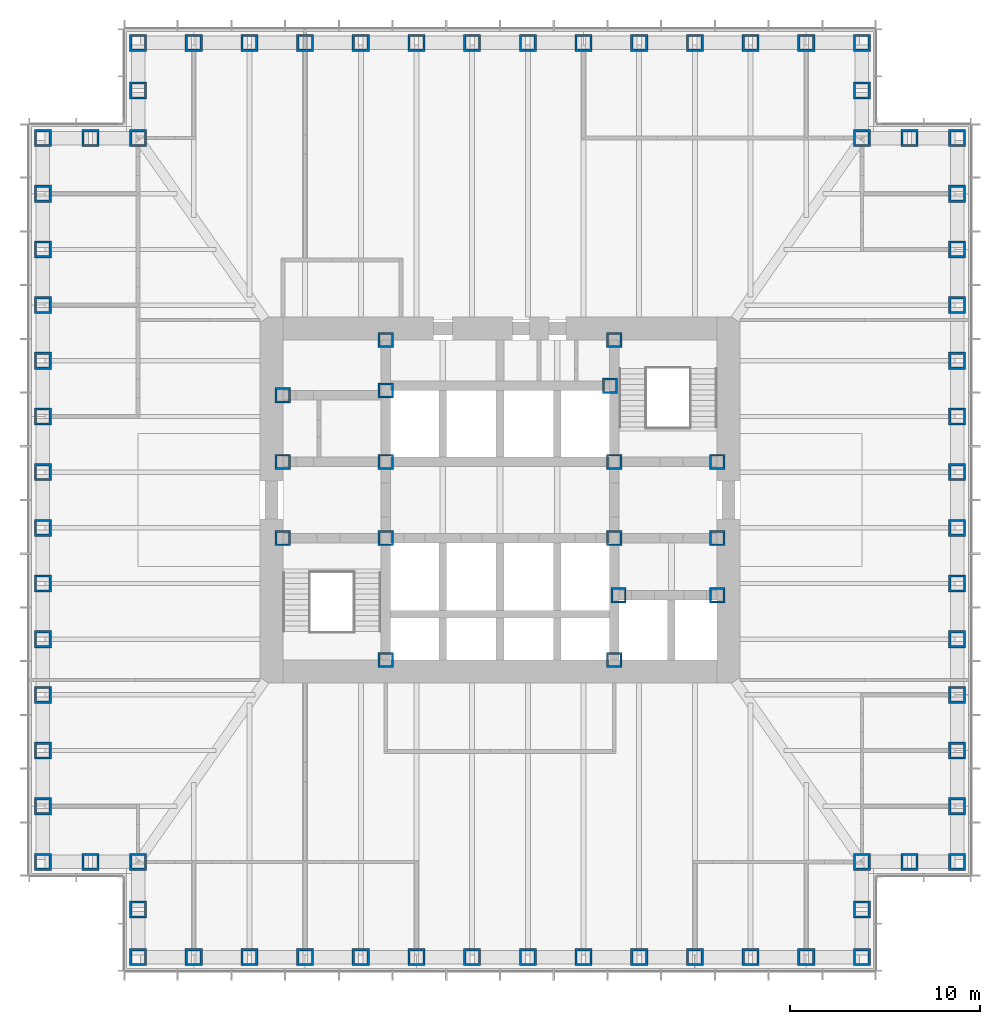
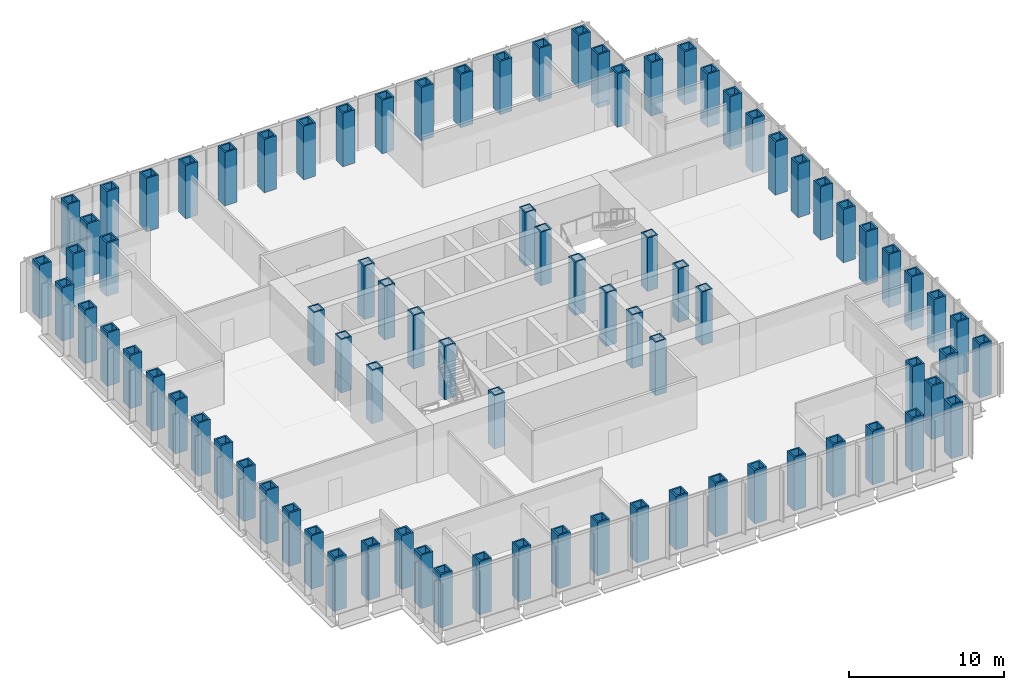
# One storey, part 1 of 17: 85 columns.
"""IFC4 building model written with IfcOpenShell, lengths in metres."""

from ifc_helpers import new_model, si_unit, direction, frame, origin, origin_2d, place, context, subcontext, project, spatial, hollow_rectangle, extrude, material, material_profile, profile_set, type_object, element, save


model = new_model("IFC4")

# Units and contexts
model_context = context("Model", 3, precision=1e-05, world=origin(), true_north=direction((0.0, 1.0)))
body_context = subcontext(model_context, "Body", "Model", "MODEL_VIEW")
ifc_project = project(units=[si_unit("LENGTHUNIT", "METRE"), si_unit("AREAUNIT", "SQUARE_METRE"), si_unit("VOLUMEUNIT", "CUBIC_METRE"), si_unit("PLANEANGLEUNIT", "RADIAN"), si_unit("MASSUNIT", "GRAM", prefix="KILO")], contexts=[model_context])

# Site, building, storey
site_placement = place(None, origin())
site = spatial("IfcSite", under=ifc_project, at=site_placement, CompositionType="ELEMENT")
building_placement = place(site_placement, origin())
building = spatial("IfcBuilding", under=site, at=building_placement, Name="Daluyong Arena Tower", CompositionType="ELEMENT")
storey_placement = place(building_placement, frame((0.0, 0.0, 85.300048828125)))
storey = spatial("IfcBuildingStorey", under=building, at=storey_placement, Name="L18", CompositionType="ELEMENT", Elevation=85.300048828125)

# Columns
ifc_material_1 = material(Name="Steel ASTM A572 Grade 50", Category="steel")
ifc_material_profile_1 = material_profile(ifc_material_1, hollow_rectangle(XDim=0.800048828125, YDim=0.800048828125, WallThickness=0.1, at=origin_2d()))
ifc_profile_set_1 = profile_set([ifc_material_profile_1], Name="Steel ASTM A572 Grade 50")
column_type_1 = type_object("IfcColumnType", Name="Core boundary column BX800X100", PredefinedType="COLUMN", material=ifc_profile_set_1)
for number, where, z_axis, x_axis, name in (
    (1, (44.60009765625, 78.0, 0.0), (0.0, 0.0, 1.0), (1.0, 0.0, 0.0), "core boundary column BC2"),
    (2, (44.60009765625, 82.0, 0.0), (0.0, 0.0, 1.0), (1.0, 0.0, 0.0), "core boundary column BC2"),
    (3, (44.60009765625, 85.5, 0.0), (0.0, 0.0, 1.0), (1.0, 0.0, 0.0), "core boundary column BC2"),
    (4, (50.0, 71.60009765625, 0.0), (0.0, 0.0, 1.0), (1.0, 0.0, 0.0), "core boundary column BC2"),
    (5, (50.0, 78.0, 0.0), (0.0, 0.0, 1.0), (1.0, 0.0, 0.0), "core boundary column BC2"),
    (6, (50.0, 82.0, 0.0), (0.0, 0.0, 1.0), (1.0, 0.0, 0.0), "core boundary column BC2"),
    (7, (50.0, 85.75, 0.0), (0.0, 0.0, 1.0), (1.0, 0.0, 0.0), "core boundary column BC2"),
    (8, (50.0, 88.39990234375, 0.0), (0.0, 0.0, 1.0), (1.0, 0.0, 0.0), "core boundary column BC2"),
    (9, (61.77490234375, 86.0, 0.0), (0.0, 0.0, 1.0), (1.0, 0.0, 0.0), "core boundary column BC2"),
    (10, (62.0, 71.60009765625, 0.0), (0.0, 0.0, 1.0), (1.0, 0.0, 0.0), "core boundary column BC2"),
    (11, (62.0, 78.0, 0.0), (0.0, 0.0, 1.0), (1.0, 0.0, 0.0), "core boundary column BC2"),
    (12, (62.0, 82.0, 0.0), (0.0, 0.0, 1.0), (1.0, 0.0, 0.0), "core boundary column BC2"),
    (13, (62.0, 88.39990234375, 0.0), (0.0, 0.0, 1.0), (1.0, 0.0, 0.0), "core boundary column BC2"),
    (14, (62.22509765625, 75.0, 0.0), (0.0, 0.0, 1.0), (1.0, 0.0, 0.0), "core boundary column BC2"),
    (15, (67.39990234375, 75.0, 0.0), (0.0, 0.0, 1.0), (1.0, 0.0, 0.0), "core boundary column BC2"),
    (16, (67.39990234375, 78.0, 0.0), (0.0, 0.0, 1.0), (1.0, 0.0, 0.0), "core boundary column BC2"),
    (17, (67.39990234375, 82.0, 0.0), (0.0, 0.0, 1.0), (1.0, 0.0, 0.0), "core boundary column BC2"),
):
    element("IfcColumn", number, at=place(storey_placement, frame(where, z_axis=z_axis, x_axis=x_axis)), inside=storey, type_object=column_type_1, Name=name, PredefinedType="COLUMN", context=body_context, shape_type="SweptSolid", body=[
        extrude(hollow_rectangle(XDim=0.800048828125, YDim=0.800048828125, WallThickness=0.1, at=origin_2d()), origin(), (0.0, 0.0, 1.0), 4.199951171875),
    ])
ifc_material_2 = material(Name="Steel ASTM A588 Grade 50", Category="steel")
ifc_material_profile_2 = material_profile(ifc_material_2, hollow_rectangle(XDim=0.89990234375, YDim=0.89990234375, WallThickness=0.12, at=origin_2d()))
ifc_profile_set_2 = profile_set([ifc_material_profile_2], Name="Steel ASTM A588 Grade 50")
column_type_2 = type_object("IfcColumnType", Name="Tube column BX900X120 BX900X120", PredefinedType="COLUMN", material=ifc_profile_set_2)
for number, where, z_axis, x_axis, name in (
    (18, (37.0, 56.0, 0.0), (0.0, 0.0, 1.0), (1.0, 0.0, 0.0), "tube column bx900x120 TC4"),
    (19, (39.923095703125, 56.0, 0.0), (0.0, 0.0, 1.0), (1.0, 0.0, 0.0), "tube column bx900x120 TC4"),
    (20, (42.84619140625, 56.0, 0.0), (0.0, 0.0, 1.0), (1.0, 0.0, 0.0), "tube column bx900x120 TC4"),
    (21, (45.769287109375, 56.0, 0.0), (0.0, 0.0, 1.0), (1.0, 0.0, 0.0), "tube column bx900x120 TC4"),
    (22, (48.6923828125, 56.0, 0.0), (0.0, 0.0, 1.0), (1.0, 0.0, 0.0), "tube column bx900x120 TC4"),
    (23, (51.615478515625, 56.0, 0.0), (0.0, 0.0, 1.0), (1.0, 0.0, 0.0), "tube column bx900x120 TC4"),
    (24, (54.53857421875, 56.0, 0.0), (0.0, 0.0, 1.0), (1.0, 0.0, 0.0), "tube column bx900x120 TC4"),
    (25, (57.46142578125, 56.0, 0.0), (0.0, 0.0, 1.0), (1.0, 0.0, 0.0), "tube column bx900x120 TC4"),
    (26, (60.384521484375, 56.0, 0.0), (0.0, 0.0, 1.0), (1.0, 0.0, 0.0), "tube column bx900x120 TC4"),
    (27, (63.3076171875, 56.0, 0.0), (0.0, 0.0, 1.0), (1.0, 0.0, 0.0), "tube column bx900x120 TC4"),
    (28, (66.230712890625, 56.0, 0.0), (0.0, 0.0, 1.0), (1.0, 0.0, 0.0), "tube column bx900x120 TC4"),
    (29, (69.15380859375, 56.0, 0.0), (0.0, 0.0, 1.0), (1.0, 0.0, 0.0), "tube column bx900x120 TC4"),
    (30, (72.076904296875, 56.0, 0.0), (0.0, 0.0, 1.0), (1.0, 0.0, 0.0), "tube column bx900x120 TC4"),
    (31, (75.0, 56.0, 0.0), (0.0, 0.0, 1.0), (0.0, 1.0, 0.0), "tube column bx900x120 TC4"),
    (32, (75.0, 58.5, 0.0), (0.0, 0.0, 1.0), (0.0, 1.0, 0.0), "tube column bx900x120 TC4"),
    (33, (75.0, 61.0, 0.0), (0.0, 0.0, 1.0), (1.0, 0.0, 0.0), "tube column bx900x120 TC4"),
    (34, (77.5, 61.0, 0.0), (0.0, 0.0, 1.0), (1.0, 0.0, 0.0), "tube column bx900x120 TC4"),
    (35, (80.0, 61.0, 0.0), (0.0, 0.0, 1.0), (0.0, 1.0, 0.0), "tube column bx900x120 TC4"),
    (36, (80.0, 63.923095703125, 0.0), (0.0, 0.0, 1.0), (0.0, 1.0, 0.0), "tube column bx900x120 TC4"),
    (37, (80.0, 66.84619140625, 0.0), (0.0, 0.0, 1.0), (0.0, 1.0, 0.0), "tube column bx900x120 TC4"),
    (38, (80.0, 69.769287109375, 0.0), (0.0, 0.0, 1.0), (0.0, 1.0, 0.0), "tube column bx900x120 TC4"),
    (39, (80.0, 72.6923828125, 0.0), (0.0, 0.0, 1.0), (0.0, 1.0, 0.0), "tube column bx900x120 TC4"),
    (40, (80.0, 75.615478515625, 0.0), (0.0, 0.0, 1.0), (0.0, 1.0, 0.0), "tube column bx900x120 TC4"),
    (41, (80.0, 78.53857421875, 0.0), (0.0, 0.0, 1.0), (0.0, 1.0, 0.0), "tube column bx900x120 TC4"),
    (42, (80.0, 81.46142578125, 0.0), (0.0, 0.0, 1.0), (0.0, 1.0, 0.0), "tube column bx900x120 TC4"),
    (43, (80.0, 84.384521484375, 0.0), (0.0, 0.0, 1.0), (0.0, 1.0, 0.0), "tube column bx900x120 TC4"),
    (44, (80.0, 87.3076171875, 0.0), (0.0, 0.0, 1.0), (0.0, 1.0, 0.0), "tube column bx900x120 TC4"),
    (45, (80.0, 90.230712890625, 0.0), (0.0, 0.0, 1.0), (0.0, 1.0, 0.0), "tube column bx900x120 TC4"),
    (46, (80.0, 93.15380859375, 0.0), (0.0, 0.0, 1.0), (0.0, 1.0, 0.0), "tube column bx900x120 TC4"),
    (47, (80.0, 96.076904296875, 0.0), (0.0, 0.0, 1.0), (0.0, 1.0, 0.0), "tube column bx900x120 TC4"),
    (48, (80.0, 99.0, 0.0), (0.0, 0.0, 1.0), (1.0, 0.0, 0.0), "tube column bx900x120 TC4"),
    (49, (77.5, 99.0, 0.0), (0.0, 0.0, 1.0), (1.0, 0.0, 0.0), "tube column bx900x120 TC4"),
    (50, (75.0, 99.0, 0.0), (0.0, 0.0, 1.0), (0.0, 1.0, 0.0), "tube column bx900x120 TC4"),
    (51, (75.0, 101.5, 0.0), (0.0, 0.0, 1.0), (0.0, 1.0, 0.0), "tube column bx900x120 TC4"),
    (52, (75.0, 104.0, 0.0), (0.0, 0.0, 1.0), (1.0, 0.0, 0.0), "tube column bx900x120 TC4"),
    (53, (72.076904296875, 104.0, 0.0), (0.0, 0.0, 1.0), (1.0, 0.0, 0.0), "tube column bx900x120 TC4"),
    (54, (69.15380859375, 104.0, 0.0), (0.0, 0.0, 1.0), (1.0, 0.0, 0.0), "tube column bx900x120 TC4"),
    (55, (66.230712890625, 104.0, 0.0), (0.0, 0.0, 1.0), (1.0, 0.0, 0.0), "tube column bx900x120 TC4"),
    (56, (63.3076171875, 104.0, 0.0), (0.0, 0.0, 1.0), (1.0, 0.0, 0.0), "tube column bx900x120 TC4"),
    (57, (60.384521484375, 104.0, 0.0), (0.0, 0.0, 1.0), (1.0, 0.0, 0.0), "tube column bx900x120 TC4"),
    (58, (57.46142578125, 104.0, 0.0), (0.0, 0.0, 1.0), (1.0, 0.0, 0.0), "tube column bx900x120 TC4"),
    (59, (54.53857421875, 104.0, 0.0), (0.0, 0.0, 1.0), (1.0, 0.0, 0.0), "tube column bx900x120 TC4"),
    (60, (51.615478515625, 104.0, 0.0), (0.0, 0.0, 1.0), (1.0, 0.0, 0.0), "tube column bx900x120 TC4"),
    (61, (48.6923828125, 104.0, 0.0), (0.0, 0.0, 1.0), (1.0, 0.0, 0.0), "tube column bx900x120 TC4"),
    (62, (45.769287109375, 104.0, 0.0), (0.0, 0.0, 1.0), (1.0, 0.0, 0.0), "tube column bx900x120 TC4"),
    (63, (42.84619140625, 104.0, 0.0), (0.0, 0.0, 1.0), (1.0, 0.0, 0.0), "tube column bx900x120 TC4"),
    (64, (39.923095703125, 104.0, 0.0), (0.0, 0.0, 1.0), (1.0, 0.0, 0.0), "tube column bx900x120 TC4"),
    (65, (37.0, 104.0, 0.0), (0.0, 0.0, 1.0), (0.0, 1.0, 0.0), "tube column bx900x120 TC4"),
    (66, (37.0, 101.5, 0.0), (0.0, 0.0, 1.0), (0.0, 1.0, 0.0), "tube column bx900x120 TC4"),
    (67, (37.0, 99.0, 0.0), (0.0, 0.0, 1.0), (1.0, 0.0, 0.0), "tube column bx900x120 TC4"),
    (68, (34.5, 99.0, 0.0), (0.0, 0.0, 1.0), (1.0, 0.0, 0.0), "tube column bx900x120 TC4"),
    (69, (32.0, 99.0, 0.0), (0.0, 0.0, 1.0), (0.0, 1.0, 0.0), "tube column bx900x120 TC4"),
    (70, (32.0, 96.076904296875, 0.0), (0.0, 0.0, 1.0), (0.0, 1.0, 0.0), "tube column bx900x120 TC4"),
    (71, (32.0, 93.15380859375, 0.0), (0.0, 0.0, 1.0), (0.0, 1.0, 0.0), "tube column bx900x120 TC4"),
    (72, (32.0, 90.230712890625, 0.0), (0.0, 0.0, 1.0), (0.0, 1.0, 0.0), "tube column bx900x120 TC4"),
    (73, (32.0, 87.3076171875, 0.0), (0.0, 0.0, 1.0), (0.0, 1.0, 0.0), "tube column bx900x120 TC4"),
    (74, (32.0, 84.384521484375, 0.0), (0.0, 0.0, 1.0), (0.0, 1.0, 0.0), "tube column bx900x120 TC4"),
    (75, (32.0, 81.46142578125, 0.0), (0.0, 0.0, 1.0), (0.0, 1.0, 0.0), "tube column bx900x120 TC4"),
    (76, (32.0, 78.53857421875, 0.0), (0.0, 0.0, 1.0), (0.0, 1.0, 0.0), "tube column bx900x120 TC4"),
    (77, (32.0, 75.615478515625, 0.0), (0.0, 0.0, 1.0), (0.0, 1.0, 0.0), "tube column bx900x120 TC4"),
    (78, (32.0, 72.6923828125, 0.0), (0.0, 0.0, 1.0), (0.0, 1.0, 0.0), "tube column bx900x120 TC4"),
    (79, (32.0, 69.769287109375, 0.0), (0.0, 0.0, 1.0), (0.0, 1.0, 0.0), "tube column bx900x120 TC4"),
    (80, (32.0, 66.84619140625, 0.0), (0.0, 0.0, 1.0), (0.0, 1.0, 0.0), "tube column bx900x120 TC4"),
    (81, (32.0, 63.923095703125, 0.0), (0.0, 0.0, 1.0), (0.0, 1.0, 0.0), "tube column bx900x120 TC4"),
    (82, (32.0, 61.0, 0.0), (0.0, 0.0, 1.0), (1.0, 0.0, 0.0), "tube column bx900x120 TC4"),
    (83, (34.5, 61.0, 0.0), (0.0, 0.0, 1.0), (1.0, 0.0, 0.0), "tube column bx900x120 TC4"),
    (84, (37.0, 61.0, 0.0), (0.0, 0.0, 1.0), (0.0, 1.0, 0.0), "tube column bx900x120 TC4"),
    (85, (37.0, 58.5, 0.0), (0.0, 0.0, 1.0), (0.0, 1.0, 0.0), "tube column bx900x120 TC4"),
):
    element("IfcColumn", number, at=place(storey_placement, frame(where, z_axis=z_axis, x_axis=x_axis)), inside=storey, type_object=column_type_2, Name=name, PredefinedType="COLUMN", context=body_context, shape_type="SweptSolid", body=[
        extrude(hollow_rectangle(XDim=0.89990234375, YDim=0.89990234375, WallThickness=0.12, at=origin_2d()), origin(), (0.0, 0.0, 1.0), 4.199951171875),
    ])

save(model, "model.ifc")
